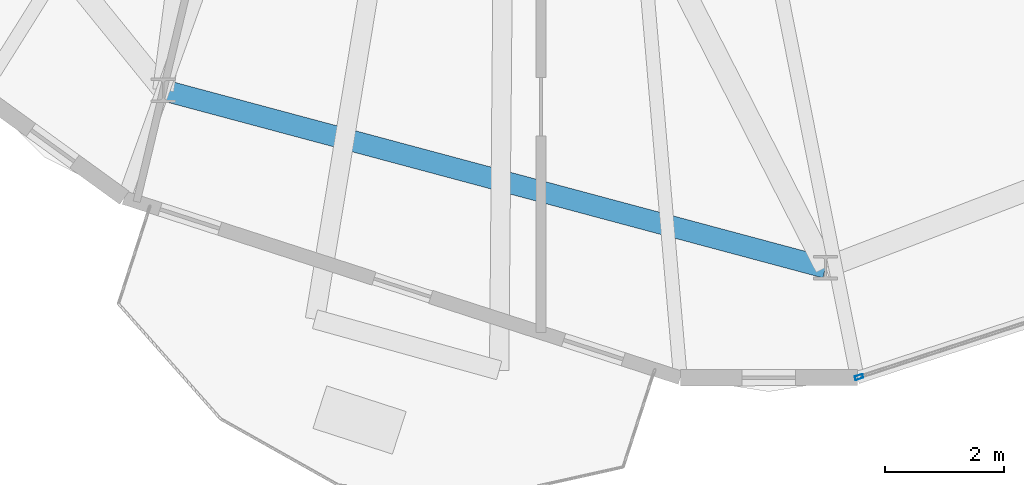
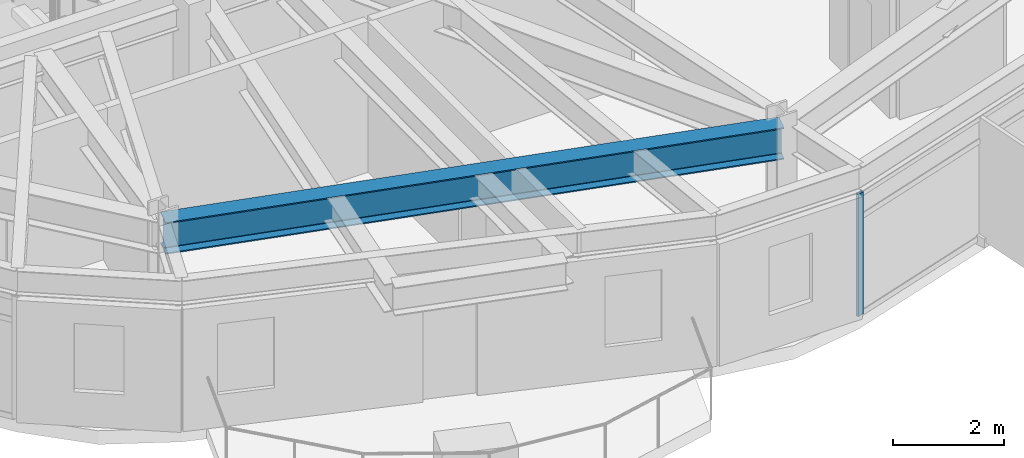
# One storey, part 5 of 31: 1 beam, 1 member, 1 element without a shape of its own.
"""IFC4 building model written with IfcOpenShell, lengths in metres."""

from ifc_helpers import new_model, si_unit, direction, frame, origin, origin_2d, place, context, subcontext, project, spatial, hollow_rectangle, i_section, extrude, material, layer, layer_set, material_profile, profile_set, type_object, element, aggregate, save


model = new_model("IFC4")

# Units and contexts
model_context = context("Model", 3, precision=1e-05, world=origin(), true_north=direction((0.0, 1.0)))
body_context = subcontext(model_context, "Body", "Model", "MODEL_VIEW")
ifc_project = project(units=[si_unit("LENGTHUNIT", "METRE"), si_unit("AREAUNIT", "SQUARE_METRE"), si_unit("VOLUMEUNIT", "CUBIC_METRE"), si_unit("PLANEANGLEUNIT", "RADIAN"), si_unit("MASSUNIT", "GRAM", prefix="KILO")], contexts=[model_context])

# Site, building, storey
site_placement = place(None, origin())
site = spatial("IfcSite", under=ifc_project, at=site_placement, CompositionType="ELEMENT")
building_placement = place(site_placement, origin())
building = spatial("IfcBuilding", under=site, at=building_placement, Name="Soratama Intermodal Tower", CompositionType="ELEMENT")
storey_placement = place(building_placement, frame((0.0, 0.0, 230.199951171875)))
storey = spatial("IfcBuildingStorey", under=building, at=storey_placement, Name="L58", CompositionType="ELEMENT", Elevation=230.199951171875)

# Beam
ifc_material_1 = material(Name="Structural steel ASTM A992 Grade 50", Category="steel")
ifc_material_profile_1 = material_profile(ifc_material_1, i_section(OverallWidth=0.35498046875, OverallDepth=0.695068359375, WebThickness=0.015380859375, FlangeThickness=0.02490234375, FilletRadius=0.01611328125, at=origin_2d()), Name="W27X146")
ifc_profile_set_1 = profile_set([ifc_material_profile_1], Name="Structural steel ASTM A992 Grade 50")
beam_type = type_object("IfcBeamType", Name="BM-RING-W27X146", PredefinedType="BEAM", material=ifc_profile_set_1)
beam_placement = place(storey_placement, frame((34.8701171875, 9.40087890625, 2.95263671875), z_axis=(0.965928616227, -0.258808632687, 0.0), x_axis=(0.258808632687, 0.965928616227, 0.0)))
element("IfcBeam", 1, at=beam_placement, inside=storey, type_object=beam_type, Name="BM-L58-RING-07", PredefinedType="BEAM", context=body_context, shape_type="SweptSolid", body=[
    extrude(i_section(OverallWidth=0.35498046875, OverallDepth=0.695068359375, WebThickness=0.015380859375, FlangeThickness=0.02490234375, FilletRadius=0.01611328125, at=origin_2d()), origin(), (0.0, 0.0, 1.0), 11.494384765625),
])

# Curtain wall, member
ifc_material_2 = material(Name="Double-glazed aluminium curtain wall", Category="aluminium")
ifc_layer = layer(ifc_material_2, 0.159912109375)
ifc_layer_set = layer_set([ifc_layer], Name="Double-glazed aluminium curtain wall")
curtain_wall_type = type_object("IfcCurtainWallType", Name="CW-SYS-5", PredefinedType="NOTDEFINED", material=ifc_layer_set)
curtain_wall_placement = place(storey_placement, origin())
curtain_wall = element("IfcCurtainWall", 2, at=curtain_wall_placement, inside=storey, type_object=curtain_wall_type, Name="L58 Faceted Curtain Wall F07", PredefinedType="NOTDEFINED")
ifc_material_3 = material(Name="Anodised aluminium AA 6063-T6", Category="aluminium")
ifc_material_profile_2 = material_profile(ifc_material_3, hollow_rectangle(XDim=0.06494140625, YDim=0.139892578125, WallThickness=0.0048828125, InnerFilletRadius=0.0048828125, OuterFilletRadius=0.010009765625, at=origin_2d()), Name="CWM140X65X5")
ifc_profile_set_2 = profile_set([ifc_material_profile_2], Name="Anodised aluminium AA 6063-T6")
member_type = type_object("IfcMemberType", Name="MT-CWM-5", PredefinedType="MULLION", material=ifc_profile_set_2)
member_placement = place(storey_placement, frame((46.533203125, 4.5927734375, 0.0), z_axis=(0.0, 0.0, 1.0), x_axis=(-0.310014382585, 0.950731866822, 0.0)))
member = element("IfcMember", 3, at=member_placement, type_object=member_type, Name="CW-5 mullion 1", PredefinedType="MULLION", context=body_context, shape_type="SweptSolid", body=[
    extrude(hollow_rectangle(XDim=0.06494140625, YDim=0.139892578125, WallThickness=0.0048828125, InnerFilletRadius=0.0048828125, OuterFilletRadius=0.010009765625, at=origin_2d()), origin(), (0.0, 0.0, 1.0), 2.678955078125),
])
aggregate(curtain_wall, [member])

save(model, "model.ifc")
